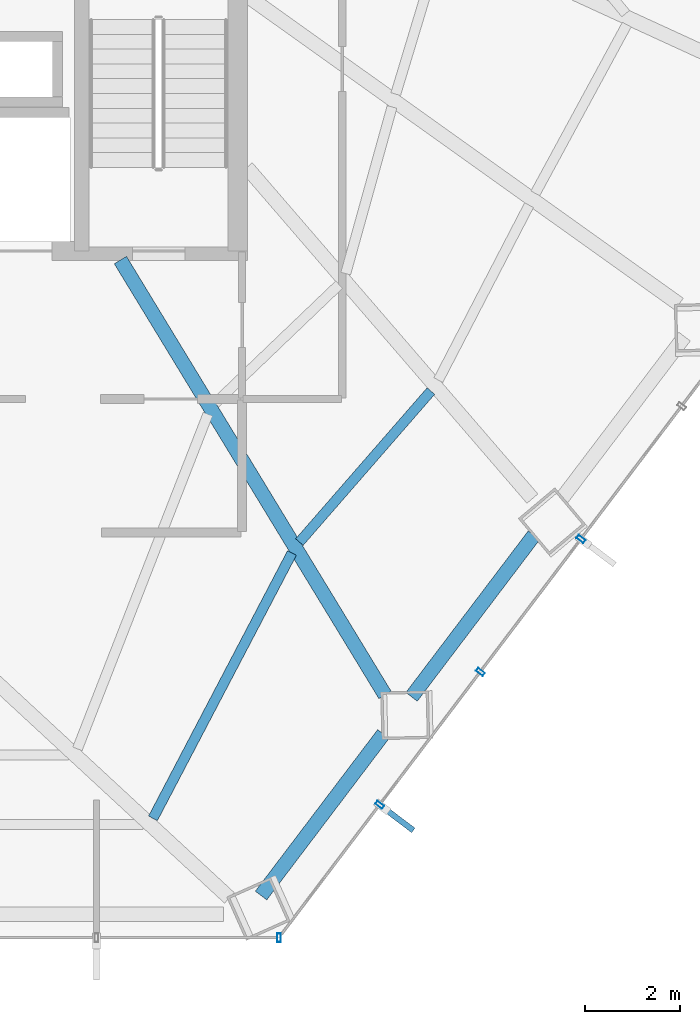
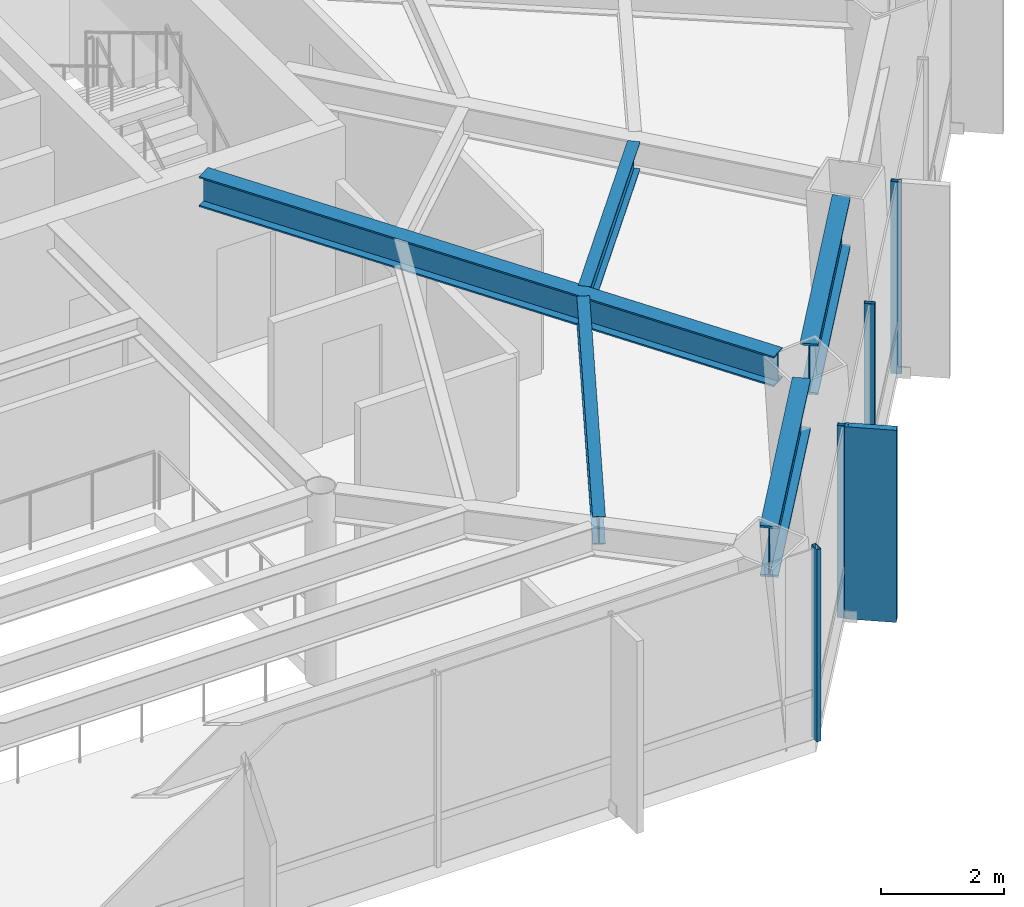
# One storey, part 17 of 26: 5 beams, 5 members, 2 elements without a shape of their own.
"""IFC4 building model written with IfcOpenShell, lengths in metres."""

from ifc_helpers import new_model, si_unit, direction, frame, origin, origin_2d, place, context, subcontext, project, spatial, rectangle, hollow_rectangle, i_section, extrude, material, layer, layer_set, material_profile, profile_set, type_object, element, aggregate, save


model = new_model("IFC4")

# Units and contexts
model_context = context("Model", 3, precision=1e-05, world=origin(), true_north=direction((0.0, 1.0)))
body_context = subcontext(model_context, "Body", "Model", "MODEL_VIEW")
ifc_project = project(units=[si_unit("LENGTHUNIT", "METRE"), si_unit("AREAUNIT", "SQUARE_METRE"), si_unit("VOLUMEUNIT", "CUBIC_METRE"), si_unit("PLANEANGLEUNIT", "RADIAN"), si_unit("MASSUNIT", "GRAM", prefix="KILO")], contexts=[model_context])

# Site, building, storey
site_placement = place(None, origin())
site = spatial("IfcSite", under=ifc_project, at=site_placement, CompositionType="ELEMENT")
building_placement = place(site_placement, origin())
building = spatial("IfcBuilding", under=site, at=building_placement, Name="Zarrinselat Tower", CompositionType="ELEMENT")
storey_placement = place(building_placement, frame((0.0, 0.0, 60.179931640625)))
storey = spatial("IfcBuildingStorey", under=building, at=storey_placement, Name="L14", CompositionType="ELEMENT", Elevation=60.179931640625)

# Beams
ifc_material_1 = material(Name="Steel S355J2", Category="steel")
ifc_material_profile_1 = material_profile(ifc_material_1, i_section(OverallWidth=0.300048828125, OverallDepth=0.60009765625, WebThickness=0.015380859375, FlangeThickness=0.030029296875, at=origin_2d()), Name="HEB 600")
ifc_profile_set_1 = profile_set([ifc_material_profile_1], Name="Steel S355J2")
beam_type_1 = type_object("IfcBeamType", Name="BM-HEB600", PredefinedType="BEAM", material=ifc_profile_set_1)
beam_1_placement = place(storey_placement, frame((45.800048828125, 33.06005859375, 3.52001953125), z_axis=(0.519851094676, -0.854256893074, 0.0), x_axis=(0.854256893074, 0.519851094676, 0.0)))
element("IfcBeam", 1, at=beam_1_placement, inside=storey, type_object=beam_type_1, Name="L14 Radial Primary Girder RG12", PredefinedType="BEAM", context=body_context, shape_type="SweptSolid", body=[
    extrude(i_section(OverallWidth=0.300048828125, OverallDepth=0.60009765625, WebThickness=0.015380859375, FlangeThickness=0.030029296875, at=origin_2d()), origin(), (0.0, 0.0, 1.0), 10.666259765625),
])
ifc_material_2 = material(Name="Steel S460M", Category="steel")
ifc_material_profile_2 = material_profile(ifc_material_2, i_section(OverallWidth=0.302001953125, OverallDepth=1.008056640625, WebThickness=0.02099609375, FlangeThickness=0.0400390625, at=origin_2d()), Name="HEM 1000")
ifc_profile_set_2 = profile_set([ifc_material_profile_2], Name="Steel S460M")
beam_type_2 = type_object("IfcBeamType", Name="BM-HEM1000", PredefinedType="BEAM", material=ifc_profile_set_2)
beam_2_placement = place(storey_placement, frame((48.7470703125, 19.74560546875, 3.316162109375), z_axis=(0.603856581056, 0.797092986743, 0.0), x_axis=(-0.797092986743, 0.603856581056, 0.0)))
element("IfcBeam", 2, at=beam_2_placement, inside=storey, type_object=beam_type_2, Name="L14 Perimeter Spandrel Girder SP11", PredefinedType="BEAM", context=body_context, shape_type="SweptSolid", body=[
    extrude(i_section(OverallWidth=0.302001953125, OverallDepth=1.008056640625, WebThickness=0.02099609375, FlangeThickness=0.0400390625, at=origin_2d()), origin(), (0.0, 0.0, 1.0), 4.246337890625),
])
beam_3_placement = place(storey_placement, frame((51.900634765625, 23.908447265625, 3.316162109375), z_axis=(0.603893108207, 0.797065313422, 0.0), x_axis=(-0.797065313422, 0.603893108207, 0.0)))
element("IfcBeam", 3, at=beam_3_placement, inside=storey, type_object=beam_type_2, Name="L14 Perimeter Spandrel Girder SP12", PredefinedType="BEAM", context=body_context, shape_type="SweptSolid", body=[
    extrude(i_section(OverallWidth=0.302001953125, OverallDepth=1.008056640625, WebThickness=0.02099609375, FlangeThickness=0.0400390625, at=origin_2d()), origin(), (0.0, 0.0, 1.0), 4.24658203125),
])
ifc_material_3 = material(Name="Steel S355J2", Category="steel")
ifc_material_profile_3 = material_profile(ifc_material_3, i_section(OverallWidth=0.2099609375, OverallDepth=0.550048828125, WebThickness=0.010986328125, FlangeThickness=0.01708984375, at=origin_2d()), Name="IPE 550")
ifc_profile_set_3 = profile_set([ifc_material_profile_3], Name="Steel S355J2")
beam_type_3 = type_object("IfcBeamType", Name="BM-IPE550", PredefinedType="JOIST", material=ifc_profile_set_3)
beam_4_placement = place(storey_placement, frame((46.482666015625, 21.362548828125, 3.545166015625), z_axis=(0.464001180401, 0.885834580826, 0.0), x_axis=(-0.885834580826, 0.464001180401, 0.0)))
element("IfcBeam", 4, at=beam_4_placement, inside=storey, type_object=beam_type_3, Name="L14 Composite Floor Joist 2-1", PredefinedType="JOIST", context=body_context, shape_type="SweptSolid", body=[
    extrude(i_section(OverallWidth=0.2099609375, OverallDepth=0.550048828125, WebThickness=0.010986328125, FlangeThickness=0.01708984375, at=origin_2d()), origin(), (0.0, 0.0, 1.0), 6.276123046875),
])
beam_5_placement = place(storey_placement, frame((49.551513671875, 27.15185546875, 3.545166015625), z_axis=(0.656652629957, 0.75419316065, 0.0), x_axis=(-0.75419316065, 0.656652629957, 0.0)))
element("IfcBeam", 5, at=beam_5_placement, inside=storey, type_object=beam_type_3, Name="L14 Composite Floor Joist 3-1", PredefinedType="JOIST", context=body_context, shape_type="SweptSolid", body=[
    extrude(i_section(OverallWidth=0.2099609375, OverallDepth=0.550048828125, WebThickness=0.010986328125, FlangeThickness=0.01708984375, at=origin_2d()), origin(), (0.0, 0.0, 1.0), 4.195068359375),
])

# Curtain wall, member
ifc_material_4 = material(Name="Extruded Aluminium Alloy EN AW-6063 T6", Category="aluminium")
ifc_layer = layer(ifc_material_4, 0.18505859375)
ifc_layer_set = layer_set([ifc_layer], Name="Extruded Aluminium Alloy EN AW-6063 T6")
curtain_wall_type = type_object("IfcCurtainWallType", Name="CWS-OFF", PredefinedType="NOTDEFINED", material=ifc_layer_set)
curtain_wall_1_placement = place(storey_placement, origin())
curtain_wall_1 = element("IfcCurtainWall", 6, at=curtain_wall_1_placement, inside=storey, type_object=curtain_wall_type, Name="L14 Unitised Curtain Wall CW-L14-E04", PredefinedType="NOTDEFINED")
ifc_material_5 = material(Name="Extruded Aluminium Alloy EN AW-6063 T6", Category="aluminium")
ifc_material_profile_4 = material_profile(ifc_material_5, hollow_rectangle(XDim=0.080078125, YDim=0.179931640625, WallThickness=0.0048828125, at=origin_2d()), Name="RHS 180x80x5")
ifc_profile_set_4 = profile_set([ifc_material_profile_4], Name="Extruded Aluminium Alloy EN AW-6063 T6")
member_type_1 = type_object("IfcMemberType", Name="MEM-CW-MUL", PredefinedType="MULLION", material=ifc_profile_set_4)
member_1_placement = place(storey_placement, frame((49.12255859375, 18.86181640625, 0.0), z_axis=(0.0, 0.0, 1.0), x_axis=(1.0, 0.0, 0.0)))
member_1 = element("IfcMember", 7, at=member_1_placement, type_object=member_type_1, Name="CW-L14-E04 Mullion 6", PredefinedType="MULLION", context=body_context, shape_type="SweptSolid", body=[
    extrude(hollow_rectangle(XDim=0.080078125, YDim=0.179931640625, WallThickness=0.0048828125, at=origin_2d()), origin(), (0.0, 0.0, 1.0), 3.820068359375),
])
aggregate(curtain_wall_1, [member_1])

# Curtain wall, members
curtain_wall_2_placement = place(storey_placement, origin())
curtain_wall_2 = element("IfcCurtainWall", 8, at=curtain_wall_2_placement, inside=storey, type_object=curtain_wall_type, Name="L14 Unitised Curtain Wall CW-L14-E05", PredefinedType="NOTDEFINED")
member_2_placement = place(storey_placement, frame((51.231689453125, 21.645751953125, 0.0), z_axis=(0.0, 0.0, 1.0), x_axis=(0.603860811653, 0.797089781737, 0.0)))
member_2 = element("IfcMember", 9, at=member_2_placement, type_object=member_type_1, Name="CW-L14-E05 Mullion 1", PredefinedType="MULLION", context=body_context, shape_type="SweptSolid", body=[
    extrude(hollow_rectangle(XDim=0.080078125, YDim=0.179931640625, WallThickness=0.0048828125, at=origin_2d()), origin(), (0.0, 0.0, 1.0), 3.820068359375),
])
member_3_placement = place(storey_placement, frame((53.3408203125, 24.4296875, 0.0), z_axis=(0.0, 0.0, 1.0), x_axis=(0.603860811653, 0.797089781737, 0.0)))
member_3 = element("IfcMember", 10, at=member_3_placement, type_object=member_type_1, Name="CW-L14-E05 Mullion 2", PredefinedType="MULLION", context=body_context, shape_type="SweptSolid", body=[
    extrude(hollow_rectangle(XDim=0.080078125, YDim=0.179931640625, WallThickness=0.0048828125, at=origin_2d()), origin(), (0.0, 0.0, 1.0), 3.820068359375),
])
member_4_placement = place(storey_placement, frame((55.449951171875, 27.2138671875, 0.0), z_axis=(0.0, 0.0, 1.0), x_axis=(0.603860811653, 0.797089781737, 0.0)))
member_4 = element("IfcMember", 11, at=member_4_placement, type_object=member_type_1, Name="CW-L14-E05 Mullion 3", PredefinedType="MULLION", context=body_context, shape_type="SweptSolid", body=[
    extrude(hollow_rectangle(XDim=0.080078125, YDim=0.179931640625, WallThickness=0.0048828125, at=origin_2d()), origin(), (0.0, 0.0, 1.0), 3.820068359375),
])
ifc_material_6 = material(Name="Honed Cream Travertine Stone", Category="masonry")
ifc_material_profile_5 = material_profile(ifc_material_6, rectangle(XDim=0.1201171875, YDim=0.85009765625, at=origin_2d()), Name="FIN 850x120")
ifc_profile_set_5 = profile_set([ifc_material_profile_5], Name="Honed Cream Travertine Stone")
member_type_2 = type_object("IfcMemberType", Name="MEM-STONE-FIN", PredefinedType="USERDEFINED", material=ifc_profile_set_5)
member_5_placement = place(storey_placement, frame((51.598388671875, 21.367919921875, 0.0), z_axis=(0.0, 0.0, 1.0), x_axis=(-0.603860811653, -0.797089781737, 0.0)))
member_5 = element("IfcMember", 12, at=member_5_placement, type_object=member_type_2, Name="L14 Stone Shading Fin CW-L14-E05-01", ObjectType="FIN", PredefinedType="USERDEFINED", context=body_context, shape_type="SweptSolid", body=[
    extrude(rectangle(XDim=0.1201171875, YDim=0.85009765625, at=origin_2d()), origin(), (0.0, 0.0, 1.0), 3.820068359375),
])
aggregate(curtain_wall_2, [member_2, member_5, member_3, member_4])

save(model, "model.ifc")
